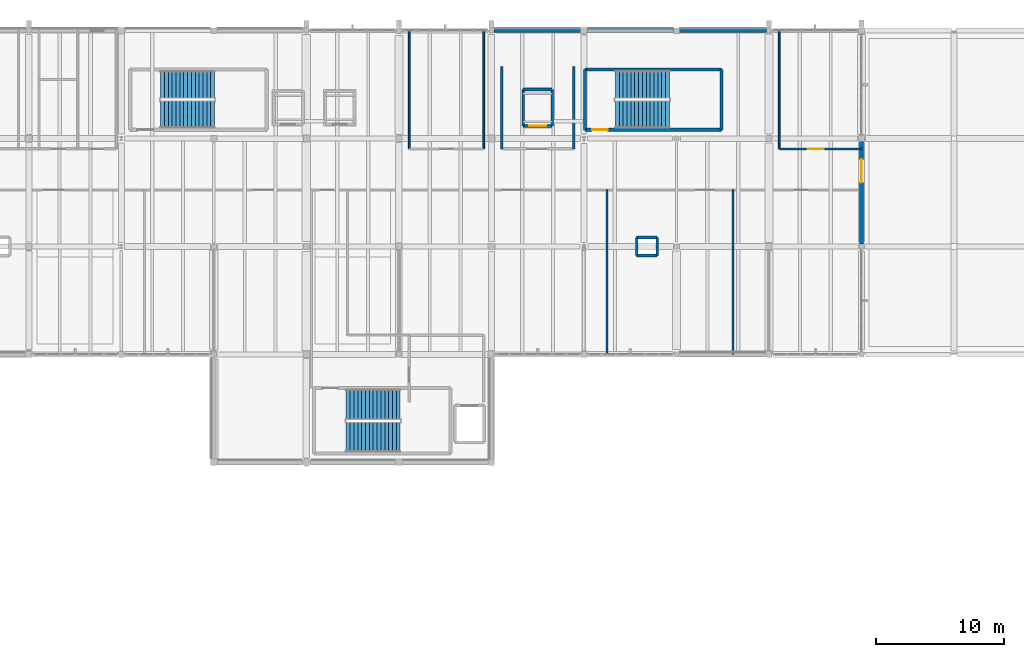
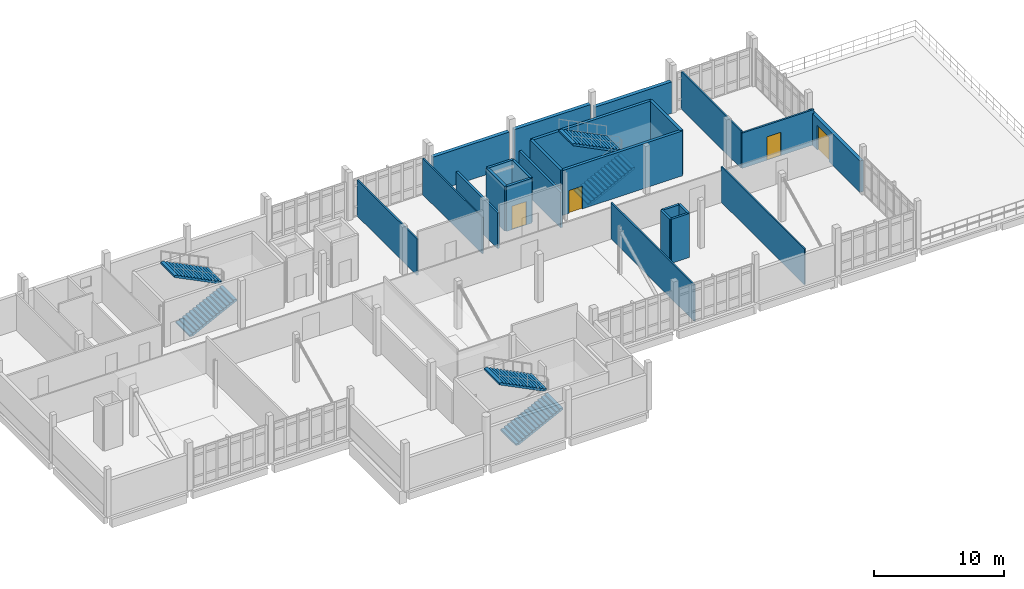
# One storey, part 30 of 34: 24 walls, 6 stair flights, 4 doors, 4 openings, 3 elements without a shape of their own.
"""IFC4 building model written with IfcOpenShell, lengths in metres."""

from ifc_helpers import new_model, si_unit, direction, frame, frame_2d, origin, place, context, subcontext, project, spatial, polyline, rectangle, outline, extrude, material, layer, layer_set, type_object, element, fill, aggregate, save


model = new_model("IFC4")

# Units and contexts
model_context = context("Model", 3, precision=1e-05, world=origin(), true_north=direction((0.0, 1.0)))
body_context = subcontext(model_context, "Body", "Model", "MODEL_VIEW")
ifc_project = project(units=[si_unit("LENGTHUNIT", "METRE"), si_unit("AREAUNIT", "SQUARE_METRE"), si_unit("VOLUMEUNIT", "CUBIC_METRE"), si_unit("PLANEANGLEUNIT", "RADIAN"), si_unit("MASSUNIT", "GRAM", prefix="KILO")], contexts=[model_context])

# Site, building, storey
site_placement = place(None, origin())
site = spatial("IfcSite", under=ifc_project, at=site_placement, CompositionType="ELEMENT")
building_placement = place(site_placement, origin())
building = spatial("IfcBuilding", under=site, at=building_placement, Name="Kalluvel Institute of Natural Sciences", CompositionType="ELEMENT")
storey_placement = place(building_placement, frame((0.0, 0.0, 36.89990234375)))
storey = spatial("IfcBuildingStorey", under=building, at=storey_placement, Name="L08", CompositionType="ELEMENT", Elevation=36.89990234375)

# Wall, opening, door
ifc_material_1 = material(Name="Concrete M40", Category="concrete")
ifc_layer_1 = layer(ifc_material_1, 0.25)
ifc_layer_set_1 = layer_set([ifc_layer_1], Name="Concrete M40")
wall_type_1 = type_object("IfcWallType", Name="WL-CORE-250", PredefinedType="SHEAR", material=ifc_layer_set_1)
wall_1_placement = place(storey_placement, frame((64.485107421875, 120.284912109375, 0.0), z_axis=(0.0, 0.0, 1.0), x_axis=(1.0, 0.0, 0.0)))
wall_1 = element("IfcWall", 1, at=wall_1_placement, inside=storey, type_object=wall_type_1, Name="ST2 L08 core wall S", PredefinedType="SHEAR", context=body_context, shape_type="SweptSolid", body=[
    extrude(rectangle(XDim=10.6298828125, YDim=0.25, at=frame_2d((5.31494140625, 0.0))), origin(), (0.0, 0.0, 1.0), 4.215087890625),
])
opening_1_placement = place(wall_1_placement, frame((0.550048828125, 0.0, 0.0)))
opening_1 = element("IfcOpeningElement", 2, at=opening_1_placement, cuts=wall_1, Name="Opening DS-021", PredefinedType="OPENING", context=body_context, shape_type="SweptSolid", body=[
    extrude(rectangle(XDim=1.199951171875, YDim=2.14990234375, at=frame_2d((0.60009765625, 1.074951171875))), frame((0.0, 0.135009765625, 0.0), z_axis=(0.0, -1.0, 0.0), x_axis=(1.0, 0.0, 0.0)), (0.0, 0.0, 1.0), 0.27001953125),
])
ifc_material_2 = material(Name="Galvanized Fire-Rated Steel", Category="steel")
door_type_1 = type_object("IfcDoorType", Name="DR-ST-1200", OperationType="NOTDEFINED", PredefinedType="DOOR", material=ifc_material_2)
door_1_placement = place(opening_1_placement, origin())
door_1 = element("IfcDoor", 3, at=door_1_placement, inside=storey, type_object=door_type_1, Name="ST2 L08 protected stair door DS-021", OperationType="SINGLE_SWING_RIGHT", OverallHeight=2.14990234375, OverallWidth=1.199951171875, PredefinedType="DOOR", context=body_context, shape_type="SweptSolid", body=[
    extrude(rectangle(XDim=1.199951171875, YDim=2.14990234375, at=frame_2d((0.60009765625, 1.074951171875))), frame((0.0, 0.02490234375, 0.0), z_axis=(0.0, -1.0, 0.0), x_axis=(1.0, 0.0, 0.0)), (0.0, 0.0, 1.0), 0.050048828125),
])
fill(opening_1, door_1)

# Walls
wall_2_placement = place(storey_placement, frame((75.114990234375, 120.284912109375, 0.0), z_axis=(0.0, 0.0, 1.0), x_axis=(0.0, 1.0, 0.0)))
element("IfcWall", 4, at=wall_2_placement, inside=storey, type_object=wall_type_1, Name="ST2 L08 core wall E", PredefinedType="SHEAR", context=body_context, shape_type="SweptSolid", body=[
    extrude(rectangle(XDim=4.7001953125, YDim=0.25, at=frame_2d((2.35009765625, 0.0))), origin(), (0.0, 0.0, 1.0), 4.215087890625),
])
wall_3_placement = place(storey_placement, frame((75.114990234375, 124.985107421875, 0.0), z_axis=(0.0, 0.0, 1.0), x_axis=(-1.0, 0.0, 0.0)))
element("IfcWall", 5, at=wall_3_placement, inside=storey, type_object=wall_type_1, Name="ST2 L08 core wall N", PredefinedType="SHEAR", context=body_context, shape_type="SweptSolid", body=[
    extrude(rectangle(XDim=10.6298828125, YDim=0.25, at=frame_2d((5.31494140625, 0.0))), origin(), (0.0, 0.0, 1.0), 4.215087890625),
])
wall_4_placement = place(storey_placement, frame((64.485107421875, 124.985107421875, 0.0), z_axis=(0.0, 0.0, 1.0), x_axis=(0.0, -1.0, 0.0)))
element("IfcWall", 6, at=wall_4_placement, inside=storey, type_object=wall_type_1, Name="ST2 L08 core wall W", PredefinedType="SHEAR", context=body_context, shape_type="SweptSolid", body=[
    extrude(rectangle(XDim=4.7001953125, YDim=0.25, at=frame_2d((2.35009765625, 0.0))), origin(), (0.0, 0.0, 1.0), 4.215087890625),
])

# Wall, opening, door
ifc_material_3 = material(Name="Sadarahalli Grey Granite Ashlar Concrete M40", Category="masonry")
ifc_layer_2 = layer(ifc_material_3, 0.300048828125)
ifc_layer_set_2 = layer_set([ifc_layer_2], Name="Sadarahalli Grey Granite Ashlar Concrete M40")
wall_type_2 = type_object("IfcWallType", Name="WL-EXT-300", PredefinedType="SOLIDWALL", material=ifc_layer_set_2)
wall_5_placement = place(storey_placement, frame((86.0, 111.3798828125, 0.0), z_axis=(0.0, 0.0, 1.0), x_axis=(0.0, 1.0, 0.0)))
wall_5 = element("IfcWall", 7, at=wall_5_placement, inside=storey, type_object=wall_type_2, Name="L08 Sadarahalli granite exterior wall WL-EXT-L08-0111", PredefinedType="SOLIDWALL", context=body_context, shape_type="SweptSolid", body=[
    extrude(rectangle(XDim=8.01513671875, YDim=0.300048828125, at=frame_2d((4.007568359375, 0.0))), origin(), (0.0, 0.0, 1.0), 2.955078125),
])
opening_2_placement = place(wall_5_placement, frame((4.800048828125, 0.0, 0.0)))
opening_2 = element("IfcOpeningElement", 8, at=opening_2_placement, cuts=wall_5, Name="Opening DT-003", PredefinedType="OPENING", context=body_context, shape_type="SweptSolid", body=[
    extrude(rectangle(XDim=1.800048828125, YDim=2.300048828125, at=frame_2d((0.89990234375, 1.14990234375))), frame((0.0, 0.159912109375, 0.0), z_axis=(0.0, -1.0, 0.0), x_axis=(1.0, 0.0, 0.0)), (0.0, 0.0, 1.0), 0.320068359375),
])
ifc_material_4 = material(Name="Aluminium AW-6063 T6", Category="aluminium")
door_type_2 = type_object("IfcDoorType", Name="DR-TER-1800", OperationType="NOTDEFINED", PredefinedType="DOOR", material=ifc_material_4)
door_2_placement = place(opening_2_placement, origin())
door_2 = element("IfcDoor", 9, at=door_2_placement, inside=storey, type_object=door_type_2, Name="L08 East Planted Terrace Door", OperationType="DOUBLE_DOOR_SINGLE_SWING", OverallHeight=2.300048828125, OverallWidth=1.800048828125, PredefinedType="DOOR", context=body_context, shape_type="SweptSolid", body=[
    extrude(rectangle(XDim=1.800048828125, YDim=2.300048828125, at=frame_2d((0.89990234375, 1.14990234375))), frame((0.0, 0.02490234375, 0.0), z_axis=(0.0, -1.0, 0.0), x_axis=(1.0, 0.0, 0.0)), (0.0, 0.0, 1.0), 0.050048828125),
])
fill(opening_2, door_2)

# Walls
ifc_layer_3 = layer(ifc_material_3, 0.320068359375)
ifc_layer_set_3 = layer_set([ifc_layer_3], Name="Sadarahalli Grey Granite Ashlar Concrete M40")
wall_type_3 = type_object("IfcWallType", Name="WL-EXT-320", PredefinedType="SOLIDWALL", material=ifc_layer_set_3)
wall_6_placement = place(storey_placement, frame((57.3798828125, 128.0, 0.0), z_axis=(0.0, 0.0, 1.0), x_axis=(1.0, 0.0, 0.0)))
element("IfcWall", 10, at=wall_6_placement, inside=storey, type_object=wall_type_3, Name="L08 Sadarahalli granite exterior wall WL-EXT-L08-0104", PredefinedType="SOLIDWALL", context=body_context, shape_type="SweptSolid", body=[
    extrude(rectangle(XDim=6.7900390625, YDim=0.320068359375, at=frame_2d((3.39501953125, 0.0))), origin(), (0.0, 0.0, 1.0), 3.30517578125),
])
wall_7_placement = place(storey_placement, frame((64.6298828125, 128.0, 0.0), z_axis=(0.0, 0.0, 1.0), x_axis=(1.0, 0.0, 0.0)))
element("IfcWall", 11, at=wall_7_placement, inside=storey, type_object=wall_type_3, Name="L08 Sadarahalli granite exterior wall WL-EXT-L08-0105", PredefinedType="SOLIDWALL", context=body_context, shape_type="SweptSolid", body=[
    extrude(rectangle(XDim=6.76513671875, YDim=0.320068359375, at=frame_2d((3.382568359375, 0.0))), origin(), (0.0, 0.0, 1.0), 3.35498046875),
])
wall_8_placement = place(storey_placement, frame((71.804931640625, 128.0, 0.0), z_axis=(0.0, 0.0, 1.0), x_axis=(1.0, 0.0, 0.0)))
element("IfcWall", 12, at=wall_8_placement, inside=storey, type_object=wall_type_3, Name="L08 Sadarahalli granite exterior wall WL-EXT-L08-0106", PredefinedType="SOLIDWALL", context=body_context, shape_type="SweptSolid", body=[
    extrude(rectangle(XDim=6.815185546875, YDim=0.320068359375, at=frame_2d((3.40771484375, 0.0))), origin(), (0.0, 0.0, 1.0), 2.955078125),
])
ifc_material_5 = material(Name="Autoclaved Aerated Concrete Masonry Block", Category="masonry")
ifc_layer_4 = layer(ifc_material_5, 0.179931640625)
ifc_layer_set_4 = layer_set([ifc_layer_4], Name="Autoclaved Aerated Concrete Masonry Block")
wall_type_4 = type_object("IfcWallType", Name="WL-FIRE-180", PredefinedType="SOLIDWALL", material=ifc_layer_set_4)
wall_9_placement = place(storey_placement, frame((58.0, 118.800048828125, 0.0), z_axis=(0.0, 0.0, 1.0), x_axis=(0.0, 1.0, 0.0)))
element("IfcWall", 13, at=wall_9_placement, inside=storey, type_object=wall_type_4, Name="L08 interior fire wall WL-INT-L08-0336", PredefinedType="SOLIDWALL", context=body_context, shape_type="SweptSolid", body=[
    extrude(rectangle(XDim=6.39990234375, YDim=0.179931640625, at=frame_2d((3.199951171875, 0.0))), origin(), (0.0, 0.0, 1.0), 3.360107421875),
])
ifc_layer_5 = layer(ifc_material_5, 0.199951171875)
ifc_layer_set_5 = layer_set([ifc_layer_5], Name="Autoclaved Aerated Concrete Masonry Block")
wall_type_5 = type_object("IfcWallType", Name="WL-FIRE-200", PredefinedType="SOLIDWALL", material=ifc_layer_set_5)
wall_10_placement = place(storey_placement, frame((63.60009765625, 118.800048828125, 0.0), z_axis=(0.0, 0.0, 1.0), x_axis=(0.0, 1.0, 0.0)))
element("IfcWall", 14, at=wall_10_placement, inside=storey, type_object=wall_type_5, Name="L08 interior fire wall WL-INT-L08-0337", PredefinedType="SOLIDWALL", context=body_context, shape_type="SweptSolid", body=[
    extrude(rectangle(XDim=6.39990234375, YDim=0.199951171875, at=frame_2d((3.199951171875, 0.0))), origin(), (0.0, 0.0, 1.0), 3.360107421875),
])
ifc_material_6 = material(Name="Acoustic Gypsum Twin-Stud Partition", Category="gypsum")
ifc_layer_6 = layer(ifc_material_6, 0.1201171875)
ifc_layer_set_6 = layer_set([ifc_layer_6], Name="Acoustic Gypsum Twin-Stud Partition")
wall_type_6 = type_object("IfcWallType", Name="WL-PART-120", PredefinedType="PARTITIONING", material=ifc_layer_set_6)
wall_11_placement = place(storey_placement, frame((56.60009765625, 118.800048828125, 0.0), z_axis=(0.0, 0.0, 1.0), x_axis=(0.0, 1.0, 0.0)))
element("IfcWall", 15, at=wall_11_placement, inside=storey, type_object=wall_type_6, Name="L08 interior partition wall WL-INT-L08-0352", PredefinedType="PARTITIONING", context=body_context, shape_type="SweptSolid", body=[
    extrude(rectangle(XDim=9.199951171875, YDim=0.1201171875, at=frame_2d((4.60009765625, 0.0))), origin(), (0.0, 0.0, 1.0), 3.41015625),
])
wall_12_placement = place(storey_placement, frame((76.0, 102.800048828125, 0.0), z_axis=(0.0, 0.0, 1.0), x_axis=(0.0, 1.0, 0.0)))
element("IfcWall", 16, at=wall_12_placement, inside=storey, type_object=wall_type_6, Name="L08 interior partition wall WL-INT-L08-0358", PredefinedType="PARTITIONING", context=body_context, shape_type="SweptSolid", body=[
    extrude(rectangle(XDim=12.800048828125, YDim=0.1201171875, at=frame_2d((6.39990234375, 0.0))), origin(), (0.0, 0.0, 1.0), 3.360107421875),
])
ifc_layer_7 = layer(ifc_material_6, 0.139892578125)
ifc_layer_set_7 = layer_set([ifc_layer_7], Name="Acoustic Gypsum Twin-Stud Partition")
wall_type_7 = type_object("IfcWallType", Name="WL-PART-140", PredefinedType="PARTITIONING", material=ifc_layer_set_7)
wall_13_placement = place(storey_placement, frame((50.800048828125, 118.800048828125, 0.0), z_axis=(0.0, 0.0, 1.0), x_axis=(0.0, 1.0, 0.0)))
element("IfcWall", 17, at=wall_13_placement, inside=storey, type_object=wall_type_7, Name="L08 interior partition wall WL-INT-L08-0351", PredefinedType="PARTITIONING", context=body_context, shape_type="SweptSolid", body=[
    extrude(rectangle(XDim=9.199951171875, YDim=0.139892578125, at=frame_2d((4.60009765625, 0.0))), origin(), (0.0, 0.0, 1.0), 3.41015625),
])
wall_14_placement = place(storey_placement, frame((79.60009765625, 118.800048828125, 0.0), z_axis=(0.0, 0.0, 1.0), x_axis=(0.0, 1.0, 0.0)))
element("IfcWall", 18, at=wall_14_placement, inside=storey, type_object=wall_type_7, Name="L08 interior partition wall WL-INT-L08-0354", PredefinedType="PARTITIONING", context=body_context, shape_type="SweptSolid", body=[
    extrude(rectangle(XDim=9.199951171875, YDim=0.139892578125, at=frame_2d((4.60009765625, 0.0))), origin(), (0.0, 0.0, 1.0), 3.510009765625),
])
wall_15_placement = place(storey_placement, frame((66.199951171875, 102.800048828125, 0.0), z_axis=(0.0, 0.0, 1.0), x_axis=(0.0, 1.0, 0.0)))
element("IfcWall", 19, at=wall_15_placement, inside=storey, type_object=wall_type_7, Name="L08 interior partition wall WL-INT-L08-0357", PredefinedType="PARTITIONING", context=body_context, shape_type="SweptSolid", body=[
    extrude(rectangle(XDim=12.800048828125, YDim=0.139892578125, at=frame_2d((6.39990234375, 0.0))), origin(), (0.0, 0.0, 1.0), 3.41015625),
])

# Wall, opening, door
ifc_layer_8 = layer(ifc_material_5, 0.159912109375)
ifc_layer_set_8 = layer_set([ifc_layer_8], Name="Autoclaved Aerated Concrete Masonry Block")
wall_type_8 = type_object("IfcWallType", Name="WL-PART-160", PredefinedType="PARTITIONING", material=ifc_layer_set_8)
wall_16_placement = place(storey_placement, frame((79.60009765625, 118.800048828125, 0.0), z_axis=(0.0, 0.0, 1.0), x_axis=(1.0, 0.0, 0.0)))
wall_16 = element("IfcWall", 20, at=wall_16_placement, inside=storey, type_object=wall_type_8, Name="L08 interior partition wall WL-INT-L08-0353", PredefinedType="PARTITIONING", context=body_context, shape_type="SweptSolid", body=[
    extrude(rectangle(XDim=6.39990234375, YDim=0.159912109375, at=frame_2d((3.199951171875, 0.0))), origin(), (0.0, 0.0, 1.0), 3.31005859375),
])
opening_3_placement = place(wall_16_placement, frame((2.199951171875, 0.0, 0.0)))
opening_3 = element("IfcOpeningElement", 21, at=opening_3_placement, cuts=wall_16, Name="Opening D-256", PredefinedType="OPENING", context=body_context, shape_type="SweptSolid", body=[
    extrude(rectangle(XDim=1.25, YDim=2.199951171875, at=frame_2d((0.625, 1.10009765625))), frame((0.0, 0.08984375, 0.0), z_axis=(0.0, -1.0, 0.0), x_axis=(1.0, 0.0, 0.0)), (0.0, 0.0, 1.0), 0.179931640625),
])
ifc_material_7 = material(Name="Engineered Hardwood Acoustic Leaf", Category="wood")
door_type_3 = type_object("IfcDoorType", Name="DR-INT-1250", OperationType="NOTDEFINED", PredefinedType="DOOR", material=ifc_material_7)
door_3_placement = place(opening_3_placement, origin())
door_3 = element("IfcDoor", 22, at=door_3_placement, inside=storey, type_object=door_type_3, Name="L08 NE1 door D-256", OperationType="SINGLE_SWING_LEFT", OverallHeight=2.199951171875, OverallWidth=1.25, PredefinedType="DOOR", context=body_context, shape_type="SweptSolid", body=[
    extrude(rectangle(XDim=1.25, YDim=2.199951171875, at=frame_2d((0.625, 1.10009765625))), frame((0.0, 0.02490234375, 0.0), z_axis=(0.0, -1.0, 0.0), x_axis=(1.0, 0.0, 0.0)), (0.0, 0.0, 1.0), 0.050048828125),
])
fill(opening_3, door_3)

# Walls
ifc_layer_9 = layer(ifc_material_1, 0.199951171875)
ifc_layer_set_9 = layer_set([ifc_layer_9], Name="Concrete M40")
wall_type_9 = type_object("IfcWallType", Name="WL-RISER-200", PredefinedType="SHEAR", material=ifc_layer_set_9)
wall_17_placement = place(storey_placement, frame((68.5, 110.5, 0.0), z_axis=(0.0, 0.0, 1.0), x_axis=(1.0, 0.0, 0.0)))
element("IfcWall", 23, at=wall_17_placement, inside=storey, type_object=wall_type_9, Name="RS-WET-E L08 service riser enclosure S", PredefinedType="SHEAR", context=body_context, shape_type="SweptSolid", body=[
    extrude(rectangle(XDim=1.60009765625, YDim=0.199951171875, at=frame_2d((0.800048828125, 0.0))), origin(), (0.0, 0.0, 1.0), 4.14013671875),
])
wall_18_placement = place(storey_placement, frame((70.10009765625, 110.5, 0.0), z_axis=(0.0, 0.0, 1.0), x_axis=(0.0, 1.0, 0.0)))
element("IfcWall", 24, at=wall_18_placement, inside=storey, type_object=wall_type_9, Name="RS-WET-E L08 service riser enclosure E", PredefinedType="SHEAR", context=body_context, shape_type="SweptSolid", body=[
    extrude(rectangle(XDim=1.39990234375, YDim=0.199951171875, at=frame_2d((0.699951171875, 0.0))), origin(), (0.0, 0.0, 1.0), 4.14013671875),
])
wall_19_placement = place(storey_placement, frame((70.10009765625, 111.89990234375, 0.0), z_axis=(0.0, 0.0, 1.0), x_axis=(-1.0, 0.0, 0.0)))
element("IfcWall", 25, at=wall_19_placement, inside=storey, type_object=wall_type_9, Name="RS-WET-E L08 service riser enclosure N", PredefinedType="SHEAR", context=body_context, shape_type="SweptSolid", body=[
    extrude(rectangle(XDim=1.60009765625, YDim=0.199951171875, at=frame_2d((0.800048828125, 0.0))), origin(), (0.0, 0.0, 1.0), 4.14013671875),
])
wall_20_placement = place(storey_placement, frame((68.5, 111.89990234375, 0.0), z_axis=(0.0, 0.0, 1.0), x_axis=(0.0, -1.0, 0.0)))
element("IfcWall", 26, at=wall_20_placement, inside=storey, type_object=wall_type_9, Name="RS-WET-E L08 service riser enclosure W", PredefinedType="SHEAR", context=body_context, shape_type="SweptSolid", body=[
    extrude(rectangle(XDim=1.39990234375, YDim=0.199951171875, at=frame_2d((0.699951171875, 0.0))), origin(), (0.0, 0.0, 1.0), 4.14013671875),
])

# Wall, opening, door
ifc_layer_10 = layer(ifc_material_1, 0.219970703125)
ifc_layer_set_10 = layer_set([ifc_layer_10], Name="Concrete M40")
wall_type_10 = type_object("IfcWallType", Name="WL-SHAFT-220", PredefinedType="SHEAR", material=ifc_layer_set_10)
wall_21_placement = place(storey_placement, frame((59.669921875, 120.570068359375, 0.0), z_axis=(0.0, 0.0, 1.0), x_axis=(1.0, 0.0, 0.0)))
wall_21 = element("IfcWall", 27, at=wall_21_placement, inside=storey, type_object=wall_type_10, Name="LF3 L08 lift shaft wall", PredefinedType="SHEAR", context=body_context, shape_type="SweptSolid", body=[
    extrude(rectangle(XDim=2.260009765625, YDim=0.219970703125, at=frame_2d((1.1298828125, 0.0))), origin(), (0.0, 0.0, 1.0), 4.215087890625),
])
opening_4_placement = place(wall_21_placement, frame((0.47998046875, 0.0, 0.0)))
opening_4 = element("IfcOpeningElement", 28, at=opening_4_placement, cuts=wall_21, Name="Opening LD-030", PredefinedType="OPENING", context=body_context, shape_type="SweptSolid", body=[
    extrude(rectangle(XDim=1.300048828125, YDim=2.199951171875, at=frame_2d((0.64990234375, 1.10009765625))), frame((0.0, 0.119873046875, 0.0), z_axis=(0.0, -1.0, 0.0), x_axis=(1.0, 0.0, 0.0)), (0.0, 0.0, 1.0), 0.239990234375),
])
door_type_4 = type_object("IfcDoorType", Name="DR-LD-1300", OperationType="NOTDEFINED", PredefinedType="DOOR", material=ifc_material_2)
door_4_placement = place(opening_4_placement, origin())
door_4 = element("IfcDoor", 29, at=door_4_placement, inside=storey, type_object=door_type_4, Name="LF3 L08 sliding lift landing door LD-030", OperationType="DOUBLE_DOOR_SLIDING", OverallHeight=2.199951171875, OverallWidth=1.300048828125, PredefinedType="DOOR", context=body_context, shape_type="SweptSolid", body=[
    extrude(rectangle(XDim=1.300048828125, YDim=2.199951171875, at=frame_2d((0.64990234375, 1.10009765625))), frame((0.0, 0.02490234375, 0.0), z_axis=(0.0, -1.0, 0.0), x_axis=(1.0, 0.0, 0.0)), (0.0, 0.0, 1.0), 0.050048828125),
])
fill(opening_4, door_4)

# Walls
wall_22_placement = place(storey_placement, frame((61.929931640625, 120.570068359375, 0.0), z_axis=(0.0, 0.0, 1.0), x_axis=(0.0, 1.0, 0.0)))
element("IfcWall", 30, at=wall_22_placement, inside=storey, type_object=wall_type_10, Name="LF3 L08 lift shaft wall", PredefinedType="SHEAR", context=body_context, shape_type="SweptSolid", body=[
    extrude(rectangle(XDim=2.85986328125, YDim=0.219970703125, at=frame_2d((1.429931640625, 0.0))), origin(), (0.0, 0.0, 1.0), 4.215087890625),
])
wall_23_placement = place(storey_placement, frame((61.929931640625, 123.429931640625, 0.0), z_axis=(0.0, 0.0, 1.0), x_axis=(-1.0, 0.0, 0.0)))
element("IfcWall", 31, at=wall_23_placement, inside=storey, type_object=wall_type_10, Name="LF3 L08 lift shaft wall", PredefinedType="SHEAR", context=body_context, shape_type="SweptSolid", body=[
    extrude(rectangle(XDim=2.260009765625, YDim=0.219970703125, at=frame_2d((1.1298828125, 0.0))), origin(), (0.0, 0.0, 1.0), 4.215087890625),
])
wall_24_placement = place(storey_placement, frame((59.669921875, 123.429931640625, 0.0), z_axis=(0.0, 0.0, 1.0), x_axis=(0.0, -1.0, 0.0)))
element("IfcWall", 32, at=wall_24_placement, inside=storey, type_object=wall_type_10, Name="LF3 L08 lift shaft wall", PredefinedType="SHEAR", context=body_context, shape_type="SweptSolid", body=[
    extrude(rectangle(XDim=2.85986328125, YDim=0.219970703125, at=frame_2d((1.429931640625, 0.0))), origin(), (0.0, 0.0, 1.0), 4.215087890625),
])

# Stair, stair flights
stair_type_1 = type_object("IfcStairType", Name="STR-ST12-45", PredefinedType="HALF_TURN_STAIR", material=ifc_material_1)
stair_1_placement = place(storey_placement, origin())
stair_1 = element("IfcStair", 33, at=stair_1_placement, inside=storey, type_object=stair_type_1, Name="L08 Wet Wing West Protected Exit Stair ST1", PredefinedType="HALF_TURN_STAIR")
stair_flight_type_1 = type_object("IfcStairFlightType", Name="STF-ST12-45", PredefinedType="STRAIGHT", material=ifc_material_1)
stair_flight_1_placement = place(storey_placement, frame((31.449951171875, 121.47998046875, 0.0), z_axis=(0.0, 0.0, 1.0), x_axis=(1.0, 0.0, 0.0)))
stair_flight_1 = element("IfcStairFlight", 34, at=stair_flight_1_placement, type_object=stair_flight_type_1, Name="S1-45 flight 1", NumberOfRisers=15, NumberOfTreads=14, PredefinedType="STRAIGHT", RiserHeight=0.15, TreadLength=0.3, context=body_context, shape_type="SweptSolid", body=[
    extrude(outline(polyline([(0.0, 0.0), (0.0, 0.14990234375), (0.300048828125, 0.14990234375), (0.300048828125, 0.300048828125), (0.60009765625, 0.300048828125), (0.60009765625, 0.449951171875), (0.89990234375, 0.449951171875), (0.89990234375, 0.60009765625), (1.199951171875, 0.60009765625), (1.199951171875, 0.75), (1.5, 0.75), (1.5, 0.89990234375), (1.800048828125, 0.89990234375), (1.800048828125, 1.050048828125), (2.10009765625, 1.050048828125), (2.10009765625, 1.199951171875), (2.39990234375, 1.199951171875), (2.39990234375, 1.35009765625), (2.699951171875, 1.35009765625), (2.699951171875, 1.5), (3.0, 1.5), (3.0, 1.64990234375), (3.300048828125, 1.64990234375), (3.300048828125, 1.800048828125), (3.60009765625, 1.800048828125), (3.60009765625, 1.949951171875), (3.89990234375, 1.949951171875), (3.89990234375, 2.10009765625), (4.199951171875, 2.10009765625), (4.199951171875, 2.25), (4.199951171875, 1.932373046875), (0.335205078125, 0.0), (0.0, 0.0)])), frame((0.0, 1.080078125, 0.0), z_axis=(0.0, -1.0, 0.0), x_axis=(1.0, 0.0, 0.0)), (0.0, 0.0, 1.0), 2.159912109375),
])
stair_flight_2_placement = place(storey_placement, frame((35.64990234375, 123.7900390625, 2.25), z_axis=(0.0, 0.0, 1.0), x_axis=(-1.0, 0.0, 0.0)))
stair_flight_2 = element("IfcStairFlight", 35, at=stair_flight_2_placement, type_object=stair_flight_type_1, Name="S1-45 flight 2", NumberOfRisers=15, NumberOfTreads=14, PredefinedType="STRAIGHT", RiserHeight=0.15, TreadLength=0.3, context=body_context, shape_type="SweptSolid", body=[
    extrude(outline(polyline([(0.0, 0.0), (0.0, 0.14990234375), (0.300048828125, 0.14990234375), (0.300048828125, 0.300048828125), (0.60009765625, 0.300048828125), (0.60009765625, 0.449951171875), (0.89990234375, 0.449951171875), (0.89990234375, 0.60009765625), (1.199951171875, 0.60009765625), (1.199951171875, 0.75), (1.5, 0.75), (1.5, 0.89990234375), (1.800048828125, 0.89990234375), (1.800048828125, 1.050048828125), (2.10009765625, 1.050048828125), (2.10009765625, 1.199951171875), (2.39990234375, 1.199951171875), (2.39990234375, 1.35009765625), (2.699951171875, 1.35009765625), (2.699951171875, 1.5), (3.0, 1.5), (3.0, 1.64990234375), (3.300048828125, 1.64990234375), (3.300048828125, 1.800048828125), (3.60009765625, 1.800048828125), (3.60009765625, 1.949951171875), (3.89990234375, 1.949951171875), (3.89990234375, 2.10009765625), (4.199951171875, 2.10009765625), (4.199951171875, 2.25), (4.199951171875, 1.932373046875), (0.335205078125, 0.0), (0.0, 0.0)])), frame((0.0, 1.080078125, 0.0), z_axis=(0.0, -1.0, 0.0), x_axis=(1.0, 0.0, 0.0)), (0.0, 0.0, 1.0), 2.159912109375),
])
aggregate(stair_1, [stair_flight_1, stair_flight_2])

stair_2_placement = place(storey_placement, origin())
stair_2 = element("IfcStair", 36, at=stair_2_placement, inside=storey, type_object=stair_type_1, Name="L08 Wet Wing East Protected Exit Stair ST2", PredefinedType="HALF_TURN_STAIR")
stair_flight_3_placement = place(storey_placement, frame((66.85009765625, 121.47998046875, 0.0), z_axis=(0.0, 0.0, 1.0), x_axis=(1.0, 0.0, 0.0)))
stair_flight_3 = element("IfcStairFlight", 37, at=stair_flight_3_placement, type_object=stair_flight_type_1, Name="S1-45 flight 1", NumberOfRisers=15, NumberOfTreads=14, PredefinedType="STRAIGHT", RiserHeight=0.15, TreadLength=0.3, context=body_context, shape_type="SweptSolid", body=[
    extrude(outline(polyline([(0.0, 0.0), (0.0, 0.14990234375), (0.300048828125, 0.14990234375), (0.300048828125, 0.300048828125), (0.60009765625, 0.300048828125), (0.60009765625, 0.449951171875), (0.89990234375, 0.449951171875), (0.89990234375, 0.60009765625), (1.199951171875, 0.60009765625), (1.199951171875, 0.75), (1.5, 0.75), (1.5, 0.89990234375), (1.800048828125, 0.89990234375), (1.800048828125, 1.050048828125), (2.10009765625, 1.050048828125), (2.10009765625, 1.199951171875), (2.39990234375, 1.199951171875), (2.39990234375, 1.35009765625), (2.699951171875, 1.35009765625), (2.699951171875, 1.5), (3.0, 1.5), (3.0, 1.64990234375), (3.300048828125, 1.64990234375), (3.300048828125, 1.800048828125), (3.60009765625, 1.800048828125), (3.60009765625, 1.949951171875), (3.89990234375, 1.949951171875), (3.89990234375, 2.10009765625), (4.199951171875, 2.10009765625), (4.199951171875, 2.25), (4.199951171875, 1.932373046875), (0.335205078125, 0.0), (0.0, 0.0)])), frame((0.0, 1.080078125, 0.0), z_axis=(0.0, -1.0, 0.0), x_axis=(1.0, 0.0, 0.0)), (0.0, 0.0, 1.0), 2.159912109375),
])
stair_flight_4_placement = place(storey_placement, frame((71.050048828125, 123.7900390625, 2.25), z_axis=(0.0, 0.0, 1.0), x_axis=(-1.0, 0.0, 0.0)))
stair_flight_4 = element("IfcStairFlight", 38, at=stair_flight_4_placement, type_object=stair_flight_type_1, Name="S1-45 flight 2", NumberOfRisers=15, NumberOfTreads=14, PredefinedType="STRAIGHT", RiserHeight=0.15, TreadLength=0.3, context=body_context, shape_type="SweptSolid", body=[
    extrude(outline(polyline([(0.0, 0.0), (0.0, 0.14990234375), (0.300048828125, 0.14990234375), (0.300048828125, 0.300048828125), (0.60009765625, 0.300048828125), (0.60009765625, 0.449951171875), (0.89990234375, 0.449951171875), (0.89990234375, 0.60009765625), (1.199951171875, 0.60009765625), (1.199951171875, 0.75), (1.5, 0.75), (1.5, 0.89990234375), (1.800048828125, 0.89990234375), (1.800048828125, 1.050048828125), (2.10009765625, 1.050048828125), (2.10009765625, 1.199951171875), (2.39990234375, 1.199951171875), (2.39990234375, 1.35009765625), (2.699951171875, 1.35009765625), (2.699951171875, 1.5), (3.0, 1.5), (3.0, 1.64990234375), (3.300048828125, 1.64990234375), (3.300048828125, 1.800048828125), (3.60009765625, 1.800048828125), (3.60009765625, 1.949951171875), (3.89990234375, 1.949951171875), (3.89990234375, 2.10009765625), (4.199951171875, 2.10009765625), (4.199951171875, 2.25), (4.199951171875, 1.932373046875), (0.335205078125, 0.0), (0.0, 0.0)])), frame((0.0, 1.080078125, 0.0), z_axis=(0.0, -1.0, 0.0), x_axis=(1.0, 0.0, 0.0)), (0.0, 0.0, 1.0), 2.159912109375),
])
aggregate(stair_2, [stair_flight_3, stair_flight_4])

stair_type_2 = type_object("IfcStairType", Name="STR-ST3-45", PredefinedType="HALF_TURN_STAIR", material=ifc_material_1)
stair_3_placement = place(storey_placement, origin())
stair_3 = element("IfcStair", 39, at=stair_3_placement, inside=storey, type_object=stair_type_2, Name="L08 Central Fire-Tower Protected Stair ST3", PredefinedType="HALF_TURN_STAIR")
stair_flight_type_2 = type_object("IfcStairFlightType", Name="STF-ST3-45", PredefinedType="STRAIGHT", material=ifc_material_1)
stair_flight_5_placement = place(storey_placement, frame((45.89990234375, 96.3798828125, 0.0), z_axis=(0.0, 0.0, 1.0), x_axis=(1.0, 0.0, 0.0)))
stair_flight_5 = element("IfcStairFlight", 40, at=stair_flight_5_placement, type_object=stair_flight_type_2, Name="S3-45 flight 1", NumberOfRisers=15, NumberOfTreads=14, PredefinedType="STRAIGHT", RiserHeight=0.15, TreadLength=0.3, context=body_context, shape_type="SweptSolid", body=[
    extrude(outline(polyline([(0.0, 0.0), (0.0, 0.14990234375), (0.300048828125, 0.14990234375), (0.300048828125, 0.300048828125), (0.60009765625, 0.300048828125), (0.60009765625, 0.449951171875), (0.89990234375, 0.449951171875), (0.89990234375, 0.60009765625), (1.199951171875, 0.60009765625), (1.199951171875, 0.75), (1.5, 0.75), (1.5, 0.89990234375), (1.800048828125, 0.89990234375), (1.800048828125, 1.050048828125), (2.10009765625, 1.050048828125), (2.10009765625, 1.199951171875), (2.39990234375, 1.199951171875), (2.39990234375, 1.35009765625), (2.699951171875, 1.35009765625), (2.699951171875, 1.5), (3.0, 1.5), (3.0, 1.64990234375), (3.300048828125, 1.64990234375), (3.300048828125, 1.800048828125), (3.60009765625, 1.800048828125), (3.60009765625, 1.949951171875), (3.89990234375, 1.949951171875), (3.89990234375, 2.10009765625), (4.199951171875, 2.10009765625), (4.199951171875, 2.25), (4.199951171875, 1.932373046875), (0.335205078125, 0.0), (0.0, 0.0)])), frame((0.0, 1.18017578125, 0.0), z_axis=(0.0, -1.0, 0.0), x_axis=(1.0, 0.0, 0.0)), (0.0, 0.0, 1.0), 2.360107421875),
])
stair_flight_6_placement = place(storey_placement, frame((50.10009765625, 98.889892578125, 2.25), z_axis=(0.0, 0.0, 1.0), x_axis=(-1.0, 0.0, 0.0)))
stair_flight_6 = element("IfcStairFlight", 41, at=stair_flight_6_placement, type_object=stair_flight_type_2, Name="S3-45 flight 2", NumberOfRisers=15, NumberOfTreads=14, PredefinedType="STRAIGHT", RiserHeight=0.15, TreadLength=0.3, context=body_context, shape_type="SweptSolid", body=[
    extrude(outline(polyline([(0.0, 0.0), (0.0, 0.14990234375), (0.300048828125, 0.14990234375), (0.300048828125, 0.300048828125), (0.60009765625, 0.300048828125), (0.60009765625, 0.449951171875), (0.89990234375, 0.449951171875), (0.89990234375, 0.60009765625), (1.199951171875, 0.60009765625), (1.199951171875, 0.75), (1.5, 0.75), (1.5, 0.89990234375), (1.800048828125, 0.89990234375), (1.800048828125, 1.050048828125), (2.10009765625, 1.050048828125), (2.10009765625, 1.199951171875), (2.39990234375, 1.199951171875), (2.39990234375, 1.35009765625), (2.699951171875, 1.35009765625), (2.699951171875, 1.5), (3.0, 1.5), (3.0, 1.64990234375), (3.300048828125, 1.64990234375), (3.300048828125, 1.800048828125), (3.60009765625, 1.800048828125), (3.60009765625, 1.949951171875), (3.89990234375, 1.949951171875), (3.89990234375, 2.10009765625), (4.199951171875, 2.10009765625), (4.199951171875, 2.25), (4.199951171875, 1.932373046875), (0.335205078125, 0.0), (0.0, 0.0)])), frame((0.0, 1.18017578125, 0.0), z_axis=(0.0, -1.0, 0.0), x_axis=(1.0, 0.0, 0.0)), (0.0, 0.0, 1.0), 2.360107421875),
])
aggregate(stair_3, [stair_flight_5, stair_flight_6])

save(model, "model.ifc")
